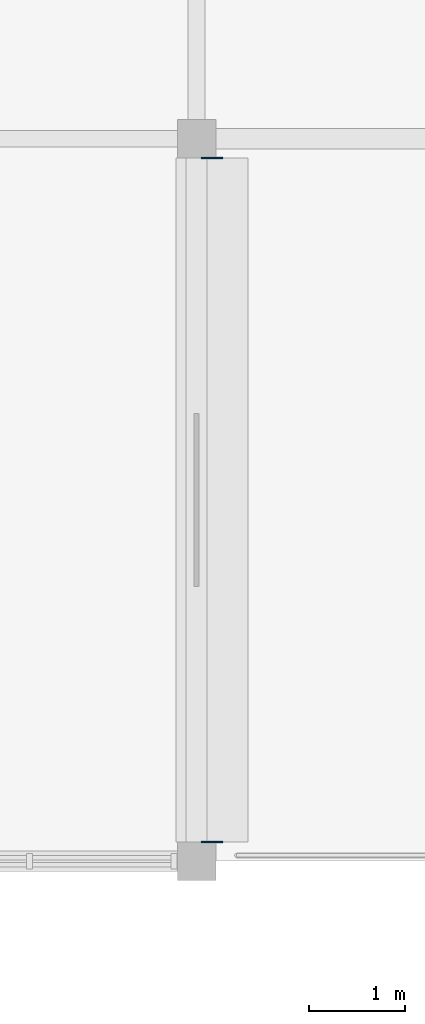
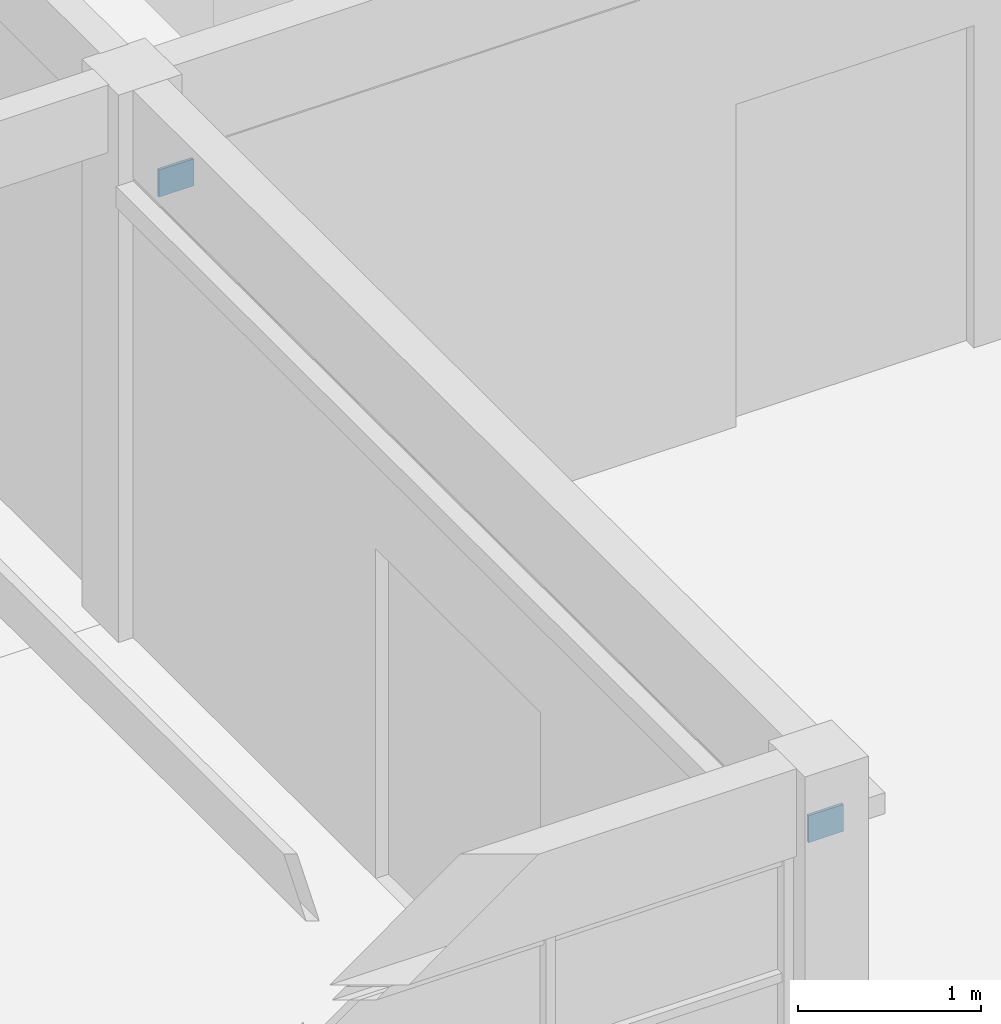
# One storey, part 34 of 45: 2 plates.
"""IFC4 building model written with IfcOpenShell, lengths in metres."""

from ifc_helpers import new_model, si_unit, direction, frame, origin, origin_2d, place, context, subcontext, project, spatial, rectangle, extrude, material, layer, layer_set, type_object, element, save


model = new_model("IFC4")

# Units and contexts
model_context = context("Model", 3, precision=1e-05, world=origin(), true_north=direction((0.0, 1.0)))
body_context = subcontext(model_context, "Body", "Model", "MODEL_VIEW")
ifc_project = project(units=[si_unit("LENGTHUNIT", "METRE"), si_unit("AREAUNIT", "SQUARE_METRE"), si_unit("VOLUMEUNIT", "CUBIC_METRE"), si_unit("PLANEANGLEUNIT", "RADIAN"), si_unit("MASSUNIT", "GRAM", prefix="KILO")], contexts=[model_context])

# Site, building, storey
site_placement = place(None, origin())
site = spatial("IfcSite", under=ifc_project, at=site_placement, CompositionType="ELEMENT")
building_placement = place(site_placement, origin())
building = spatial("IfcBuilding", under=site, at=building_placement, Name="Marnridge Secondary College", CompositionType="ELEMENT")
storey_placement = place(building_placement, frame((0.0, 0.0, 12.300048828125)))
storey = spatial("IfcBuildingStorey", under=building, at=storey_placement, Name="L03", CompositionType="ELEMENT", Elevation=12.300048828125)

# Plates
ifc_material = material(Name="Structural steel plate Grade 350 (AS/NZS 3678, fy = 350 MPa <=12mm, 340 MPa 12-20mm, 330 MPa 20-50mm)", Category="steel")
ifc_layer = layer(ifc_material, 0.02392578125)
ifc_layer_set = layer_set([ifc_layer], Name="PT-GUS-GSN2")
plate_type = type_object("IfcPlateType", Name="PT-GUS-GSN2", PredefinedType="USERDEFINED", material=ifc_layer_set)
for number, where, z_axis, x_axis, name in (
    (1, (18.159912109375, 89.800048828125, 2.88720703125), (0.0, 0.0, 1.0), (1.0, 0.0, 0.0), "Solar fin end bracket plate SFN-0025-BP1"),
    (2, (18.159912109375, 82.699951171875, 2.88720703125), (0.0, 0.0, 1.0), (1.0, 0.0, 0.0), "Solar fin end bracket plate SFN-0025-BP2"),
):
    element("IfcPlate", number, at=place(storey_placement, frame(where, z_axis=z_axis, x_axis=x_axis)), inside=storey, type_object=plate_type, Name=name, ObjectType="GUSSET PLATE", PredefinedType="USERDEFINED", context=body_context, shape_type="SweptSolid", body=[
        extrude(rectangle(XDim=0.219970703125, YDim=0.01806640625, at=origin_2d()), origin(), (0.0, 0.0, 1.0), 0.179931640625),
    ])

save(model, "model.ifc")
